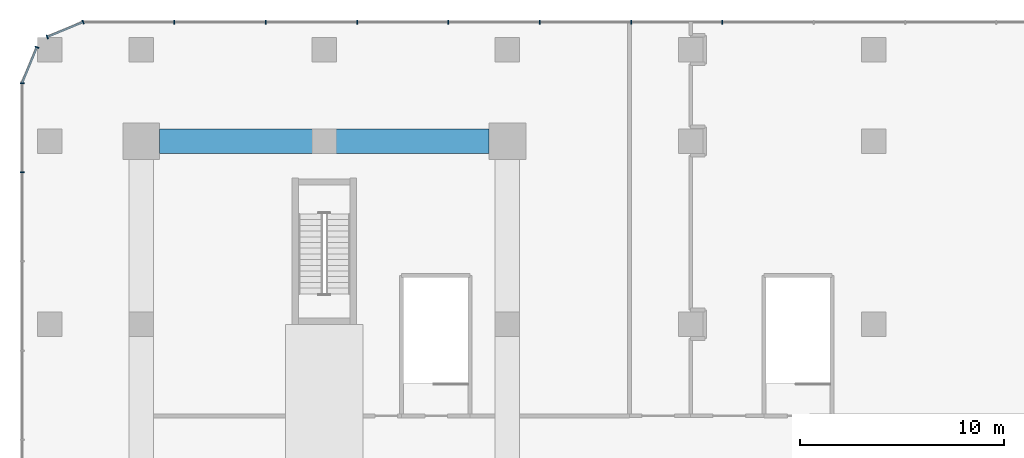
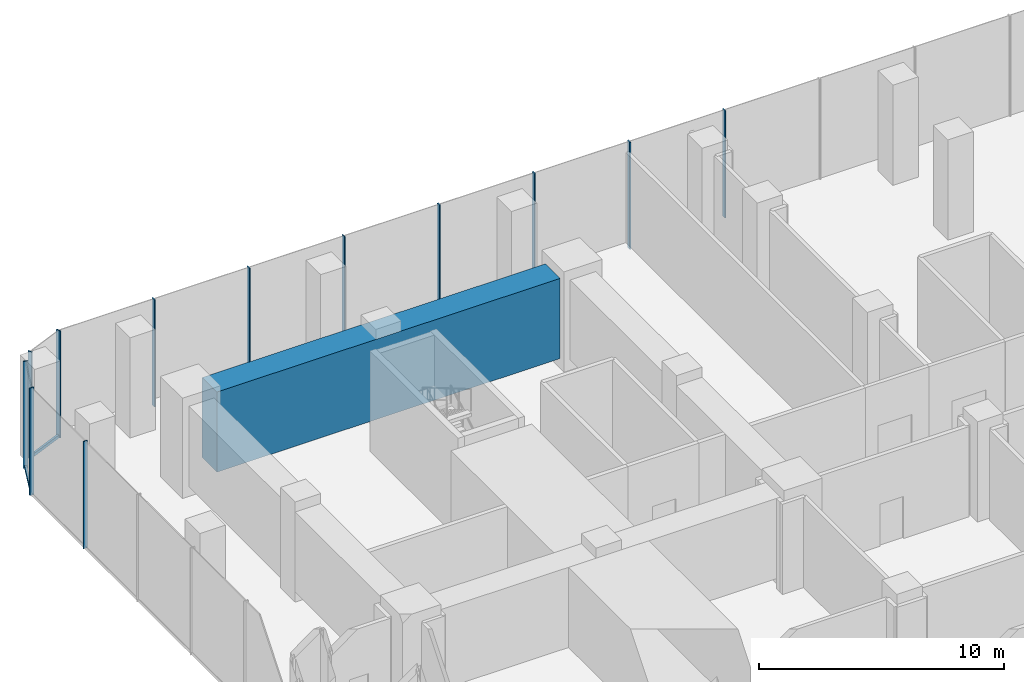
# One storey, part 16 of 36: 14 members, 1 beam, 4 elements without a shape of their own.
"""IFC4 building model written with IfcOpenShell, lengths in metres."""

from ifc_helpers import new_model, si_unit, direction, frame, origin, origin_2d, place, context, subcontext, project, spatial, rectangle, extrude, material, layer, layer_set, material_profile, profile_set, type_object, element, aggregate, save


model = new_model("IFC4")

# Units and contexts
model_context = context("Model", 3, precision=1e-05, world=origin(), true_north=direction((0.0, 1.0)))
body_context = subcontext(model_context, "Body", "Model", "MODEL_VIEW")
ifc_project = project(units=[si_unit("LENGTHUNIT", "METRE"), si_unit("AREAUNIT", "SQUARE_METRE"), si_unit("VOLUMEUNIT", "CUBIC_METRE"), si_unit("PLANEANGLEUNIT", "RADIAN"), si_unit("MASSUNIT", "GRAM", prefix="KILO")], contexts=[model_context])

# Site, building, storey
site_placement = place(None, origin())
site = spatial("IfcSite", under=ifc_project, at=site_placement, CompositionType="ELEMENT")
building_placement = place(site_placement, origin())
building = spatial("IfcBuilding", under=site, at=building_placement, Name="Plateau Cross Towers", CompositionType="ELEMENT")
storey_placement = place(building_placement, frame((0.0, 0.0, 21.800048828125)))
storey = spatial("IfcBuildingStorey", under=building, at=storey_placement, Name="L04", CompositionType="ELEMENT", Elevation=21.800048828125)

# Curtain wall, members
ifc_material_1 = material(Name="Dark low-iron laminated glass", Category="glass")
ifc_layer = layer(ifc_material_1, 0.300048828125)
ifc_layer_set = layer_set([ifc_layer], Name="Dark low-iron laminated glass")
curtain_wall_type = type_object("IfcCurtainWallType", Name="Curtain wall structural silicone CW-C", PredefinedType="NOTDEFINED", material=ifc_layer_set)
curtain_wall_1_placement = place(storey_placement, origin())
curtain_wall_1 = element("IfcCurtainWall", 1, at=curtain_wall_1_placement, inside=storey, type_object=curtain_wall_type, Name="ENV/P/L04/P1048_598", PredefinedType="NOTDEFINED")
ifc_material_2 = material(Name="Black anodised aluminium", Category="aluminium")
ifc_material_profile_1 = material_profile(ifc_material_2, rectangle(XDim=0.050048828125, YDim=0.199951171875, at=origin_2d()), Name="MULLION 50x200")
ifc_profile_set_1 = profile_set([ifc_material_profile_1], Name="Black anodised aluminium")
member_type_1 = type_object("IfcMemberType", Name="Mullion 50x200 structural silicone", PredefinedType="MULLION", material=ifc_profile_set_1)
member_1_placement = place(storey_placement, frame((28.5625, 59.85009765625, -0.35009765625), z_axis=(0.0, 0.0, 1.0), x_axis=(-1.0, 0.0, 0.0)))
member_1 = element("IfcMember", 2, at=member_1_placement, type_object=member_type_1, Name="CW-C mullion 18", PredefinedType="MULLION", context=body_context, shape_type="SweptSolid", body=[
    extrude(rectangle(XDim=0.050048828125, YDim=0.199951171875, at=origin_2d()), origin(), (0.0, 0.0, 1.0), 5.35009765625),
])
member_2_placement = place(storey_placement, frame((24.074951171875, 59.85009765625, -0.35009765625), z_axis=(0.0, 0.0, 1.0), x_axis=(-1.0, 0.0, 0.0)))
member_2 = element("IfcMember", 3, at=member_2_placement, type_object=member_type_1, Name="CW-C mullion 19", PredefinedType="MULLION", context=body_context, shape_type="SweptSolid", body=[
    extrude(rectangle(XDim=0.050048828125, YDim=0.199951171875, at=origin_2d()), origin(), (0.0, 0.0, 1.0), 5.35009765625),
])
member_3_placement = place(storey_placement, frame((19.58740234375, 59.85009765625, -0.35009765625), z_axis=(0.0, 0.0, 1.0), x_axis=(-1.0, 0.0, 0.0)))
member_3 = element("IfcMember", 4, at=member_3_placement, type_object=member_type_1, Name="CW-C mullion 20", PredefinedType="MULLION", context=body_context, shape_type="SweptSolid", body=[
    extrude(rectangle(XDim=0.050048828125, YDim=0.199951171875, at=origin_2d()), origin(), (0.0, 0.0, 1.0), 5.35009765625),
])
member_4_placement = place(storey_placement, frame((15.10009765625, 59.85009765625, -0.35009765625), z_axis=(0.0, 0.0, 1.0), x_axis=(-1.0, 0.0, 0.0)))
member_4 = element("IfcMember", 5, at=member_4_placement, type_object=member_type_1, Name="CW-C mullion 21", PredefinedType="MULLION", context=body_context, shape_type="SweptSolid", body=[
    extrude(rectangle(XDim=0.050048828125, YDim=0.199951171875, at=origin_2d()), origin(), (0.0, 0.0, 1.0), 5.35009765625),
])
member_5_placement = place(storey_placement, frame((10.612548828125, 59.85009765625, -0.35009765625), z_axis=(0.0, 0.0, 1.0), x_axis=(-1.0, 0.0, 0.0)))
member_5 = element("IfcMember", 6, at=member_5_placement, type_object=member_type_1, Name="CW-C mullion 22", PredefinedType="MULLION", context=body_context, shape_type="SweptSolid", body=[
    extrude(rectangle(XDim=0.050048828125, YDim=0.199951171875, at=origin_2d()), origin(), (0.0, 0.0, 1.0), 5.35009765625),
])
member_6_placement = place(storey_placement, frame((6.125, 59.85009765625, -0.35009765625), z_axis=(0.0, 0.0, 1.0), x_axis=(-1.0, 0.0, 0.0)))
member_6 = element("IfcMember", 7, at=member_6_placement, type_object=member_type_1, Name="CW-C mullion 23", PredefinedType="MULLION", context=body_context, shape_type="SweptSolid", body=[
    extrude(rectangle(XDim=0.050048828125, YDim=0.199951171875, at=origin_2d()), origin(), (0.0, 0.0, 1.0), 5.35009765625),
])
member_7_placement = place(storey_placement, frame((1.637451171875, 59.85009765625, -0.35009765625), z_axis=(0.0, 0.0, 1.0), x_axis=(-1.0, 0.0, 0.0)))
member_7 = element("IfcMember", 8, at=member_7_placement, type_object=member_type_1, Name="CW-C mullion 24", PredefinedType="MULLION", context=body_context, shape_type="SweptSolid", body=[
    extrude(rectangle(XDim=0.050048828125, YDim=0.199951171875, at=origin_2d()), origin(), (0.0, 0.0, 1.0), 5.35009765625),
])
aggregate(curtain_wall_1, [member_1, member_2, member_3, member_4, member_5, member_6, member_7])

curtain_wall_2_placement = place(storey_placement, origin())
curtain_wall_2 = element("IfcCurtainWall", 9, at=curtain_wall_2_placement, inside=storey, type_object=curtain_wall_type, Name="ENV/P/L04/P-28_598", PredefinedType="NOTDEFINED")
member_8_placement = place(storey_placement, frame((-2.85009765625, 59.85009765625, -0.35009765625), z_axis=(0.0, 0.0, 1.0), x_axis=(-0.923879457699, -0.382683612978, 0.0)))
member_8 = element("IfcMember", 10, at=member_8_placement, type_object=member_type_1, Name="CW-C mullion 1", PredefinedType="MULLION", context=body_context, shape_type="SweptSolid", body=[
    extrude(rectangle(XDim=0.050048828125, YDim=0.199951171875, at=origin_2d()), origin(), (0.0, 0.0, 1.0), 5.35009765625),
])
member_9_placement = place(storey_placement, frame((-4.6123046875, 59.1201171875, -0.35009765625), z_axis=(0.0, 0.0, 1.0), x_axis=(-0.923879457699, -0.382683612978, 0.0)))
member_9 = element("IfcMember", 11, at=member_9_placement, type_object=member_type_1, Name="CW-C mullion 2", PredefinedType="MULLION", context=body_context, shape_type="SweptSolid", body=[
    extrude(rectangle(XDim=0.050048828125, YDim=0.199951171875, at=origin_2d()), origin(), (0.0, 0.0, 1.0), 5.35009765625),
])

# Curtain wall, member
curtain_wall_3_placement = place(storey_placement, origin())
curtain_wall_3 = element("IfcCurtainWall", 12, at=curtain_wall_3_placement, inside=storey, type_object=curtain_wall_type, Name="ENV/P/L04/P-51_586", PredefinedType="NOTDEFINED")
member_10_placement = place(storey_placement, frame((-5.1201171875, 58.6123046875, -0.35009765625), z_axis=(0.0, 0.0, 1.0), x_axis=(-0.382683612978, -0.923879457699, 0.0)))
member_10 = element("IfcMember", 13, at=member_10_placement, type_object=member_type_1, Name="CW-C mullion 1", PredefinedType="MULLION", context=body_context, shape_type="SweptSolid", body=[
    extrude(rectangle(XDim=0.050048828125, YDim=0.199951171875, at=origin_2d()), origin(), (0.0, 0.0, 1.0), 5.35009765625),
])

# Curtain wall, members
curtain_wall_4_placement = place(storey_placement, origin())
curtain_wall_4 = element("IfcCurtainWall", 14, at=curtain_wall_4_placement, inside=storey, type_object=curtain_wall_type, Name="ENV/P/L04/P-58_568", PredefinedType="NOTDEFINED")
member_11_placement = place(storey_placement, frame((-5.85009765625, 56.85009765625, -0.35009765625), z_axis=(0.0, 0.0, 1.0), x_axis=(0.0, -1.0, 0.0)))
member_11 = element("IfcMember", 15, at=member_11_placement, type_object=member_type_1, Name="CW-C mullion 1", PredefinedType="MULLION", context=body_context, shape_type="SweptSolid", body=[
    extrude(rectangle(XDim=0.050048828125, YDim=0.199951171875, at=origin_2d()), origin(), (0.0, 0.0, 1.0), 5.35009765625),
])
member_12_placement = place(storey_placement, frame((-5.85009765625, 52.469970703125, -0.35009765625), z_axis=(0.0, 0.0, 1.0), x_axis=(0.0, -1.0, 0.0)))
member_12 = element("IfcMember", 16, at=member_12_placement, type_object=member_type_1, Name="CW-C mullion 2", PredefinedType="MULLION", context=body_context, shape_type="SweptSolid", body=[
    extrude(rectangle(XDim=0.050048828125, YDim=0.199951171875, at=origin_2d()), origin(), (0.0, 0.0, 1.0), 5.35009765625),
])
aggregate(curtain_wall_4, [member_11, member_12])

# Beam
ifc_material_3 = material(Name="Concrete C60/75", Category="concrete")
ifc_material_profile_2 = material_profile(ifc_material_3, rectangle(XDim=1.199951171875, YDim=4.0, at=origin_2d()), Name="RC 1200x4000")
ifc_profile_set_2 = profile_set([ifc_material_profile_2], Name="Concrete C60/75")
beam_type = type_object("IfcBeamType", Name="Transfer girder RC 1200x4000", PredefinedType="BEAM", material=ifc_profile_set_2)
beam_placement = place(storey_placement, frame((0.89990234375, 54.0, 2.5), z_axis=(1.0, 0.0, 0.0), x_axis=(0.0, 1.0, 0.0)))
element("IfcBeam", 17, at=beam_placement, inside=storey, type_object=beam_type, Name="TG-W-4", PredefinedType="BEAM", context=body_context, shape_type="SweptSolid", body=[
    extrude(rectangle(XDim=1.199951171875, YDim=4.0, at=origin_2d()), origin(), (0.0, 0.0, 1.0), 16.2001953125),
])

# Member
ifc_material_profile_3 = material_profile(ifc_material_2, rectangle(XDim=0.10009765625, YDim=0.14990234375, at=origin_2d()), Name="TRANSOM 100x150")
ifc_profile_set_3 = profile_set([ifc_material_profile_3], Name="Black anodised aluminium")
member_type_2 = type_object("IfcMemberType", Name="Transom 100x150 structural silicone", PredefinedType="USERDEFINED", material=ifc_profile_set_3)
member_13_placement = place(storey_placement, frame((-2.85009765625, 59.85009765625, -0.275146484375), z_axis=(-0.923870187147, -0.38270599329, 0.0), x_axis=(0.38270599329, -0.923870187147, 0.0)))
member_13 = element("IfcMember", 18, at=member_13_placement, type_object=member_type_2, Name="CW-C transom", ObjectType="TRANSOM", PredefinedType="USERDEFINED", context=body_context, shape_type="SweptSolid", body=[
    extrude(rectangle(XDim=0.10009765625, YDim=0.14990234375, at=origin_2d()), origin(), (0.0, 0.0, 1.0), 1.907470703125),
])

aggregate(curtain_wall_2, [member_8, member_9, member_13])

member_14_placement = place(storey_placement, frame((-5.1201171875, 58.6123046875, -0.275146484375), z_axis=(-0.38270599329, -0.923870187147, 0.0), x_axis=(0.923870187147, -0.38270599329, 0.0)))
member_14 = element("IfcMember", 19, at=member_14_placement, type_object=member_type_2, Name="CW-C transom", ObjectType="TRANSOM", PredefinedType="USERDEFINED", context=body_context, shape_type="SweptSolid", body=[
    extrude(rectangle(XDim=0.10009765625, YDim=0.14990234375, at=origin_2d()), origin(), (0.0, 0.0, 1.0), 1.907470703125),
])

aggregate(curtain_wall_3, [member_10, member_14])

save(model, "model.ifc")
